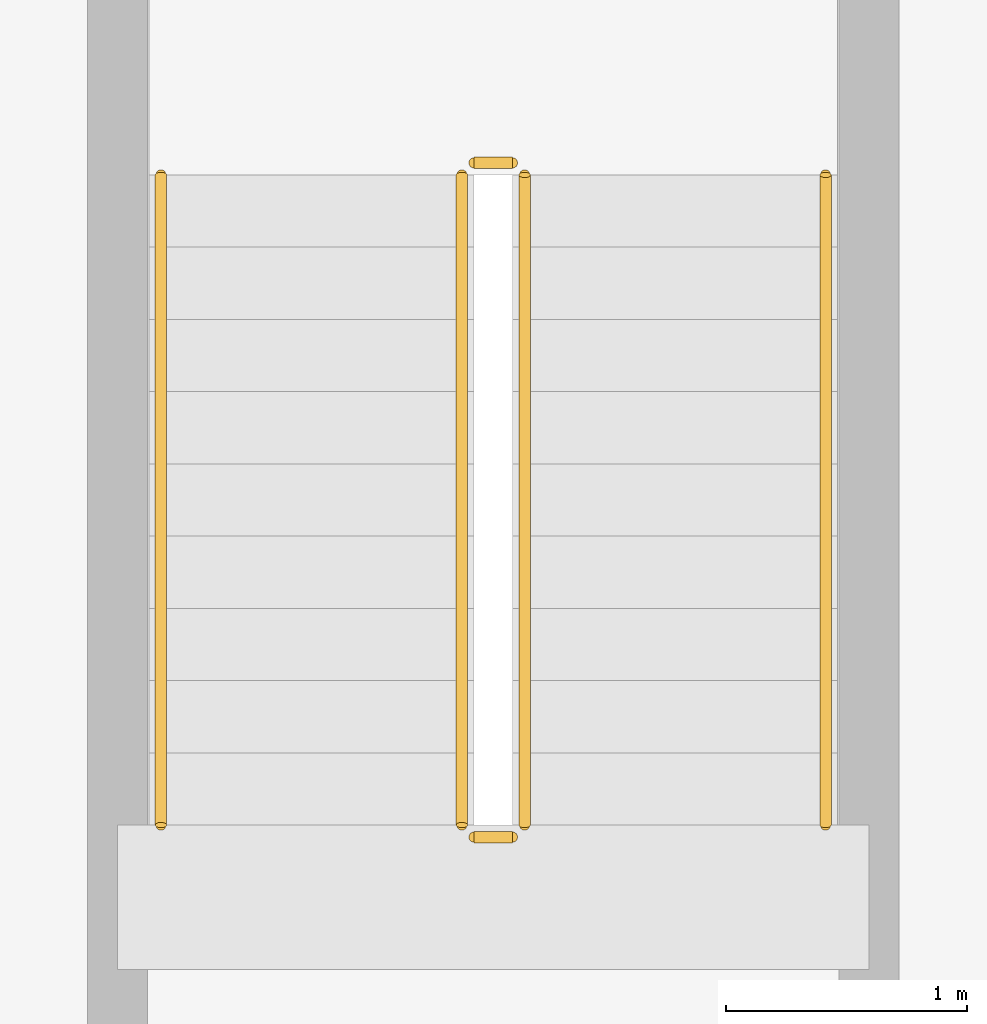
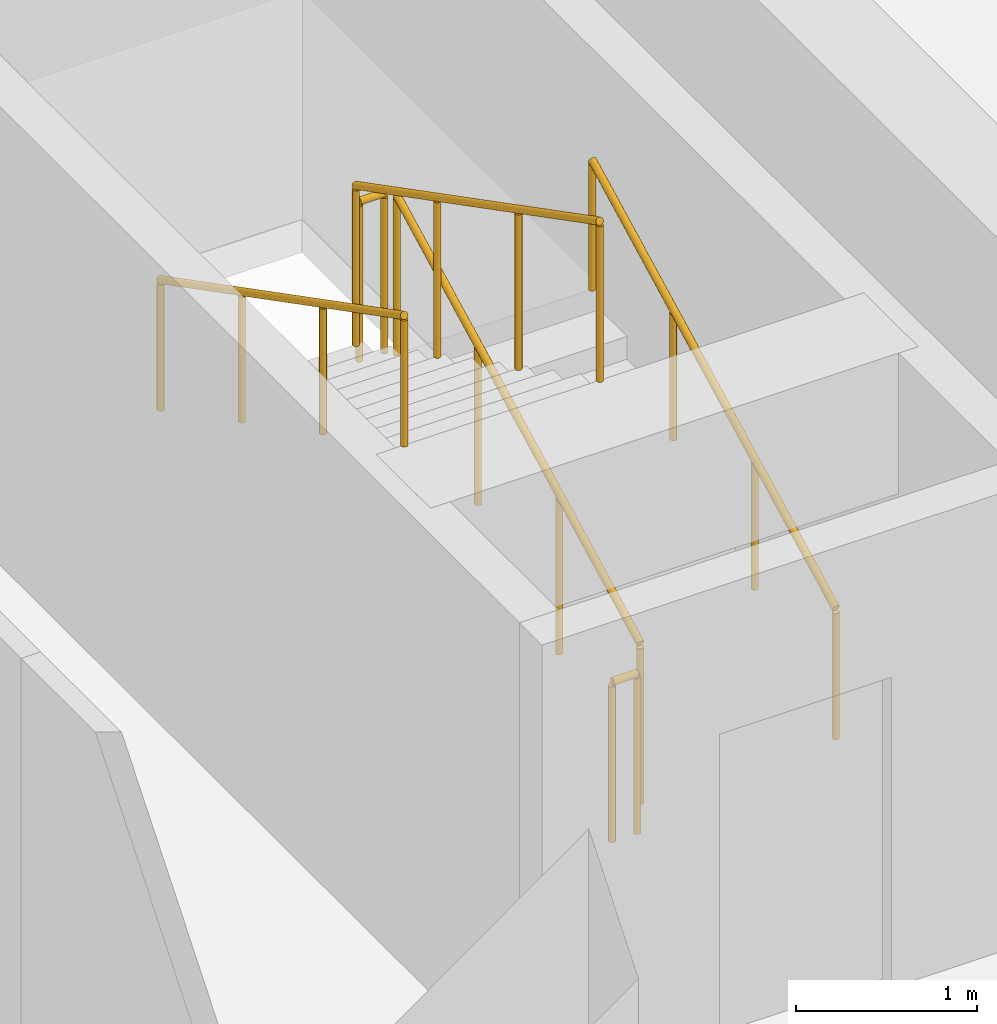
# One storey, part 9 of 9: 6 railings.
"""IFC4 building model written with IfcOpenShell, lengths in metres."""

import ifcopenshell
import ifcopenshell.guid

model = None  # the IFC model being written
_history = None  # IfcOwnerHistory: only IFC2X3 demands one
_inside = {}  # id of a spatial element -> (the spatial element, [elements in it])
_under = {}  # id of a project, library or spatial element -> (it, [spatial elements below it])
_declared = {}  # id of a project -> (the project, [libraries it declares])
_typed = {}  # id of a type object -> (the type object, [elements of that type])
_made_of = {}  # id of a material, layer set ... -> (it, [elements and type objects made of it])


def new_model(schema):
    """Start an empty IFC model of exactly this schema.

    Asked for "IFC4X3", IfcOpenShell would pick the latest addendum, in which some entities
    have other attributes; the version numbers below select the first issue.
    IFC2X3 requires an IfcOwnerHistory on every rooted entity: one is made here for all.
    """
    global model, _history
    if schema == "IFC4X3":
        model = ifcopenshell.file(schema_version=(4, 3, 0, 0))
    else:
        model = ifcopenshell.file(schema=schema)
    _inside.clear()
    _under.clear()
    _declared.clear()
    _typed.clear()
    _made_of.clear()
    _history = None
    if model.schema == "IFC2X3":
        org = make("IfcOrganization", Name="unknown")
        user = make(
            "IfcPersonAndOrganization",
            ThePerson=make("IfcPerson", FamilyName="unknown"),
            TheOrganization=org,
        )
        app = make(
            "IfcApplication",
            ApplicationDeveloper=org,
            Version="unknown",
            ApplicationFullName="unknown",
            ApplicationIdentifier="unknown",
        )
        _history = make(
            "IfcOwnerHistory",
            OwningUser=user,
            OwningApplication=app,
            ChangeAction="ADDED",
            CreationDate=0,
        )
    return model


def make(cls, **values):
    """One entity of the class cls with the attributes given. An attribute that is None is left unset."""
    return model.create_entity(
        cls, **{name: value for name, value in values.items() if value is not None}
    )


def rooted(cls, **values):
    """An entity with a GlobalId (a new one), such as an element, a storey or a relation."""
    return make(cls, GlobalId=ifcopenshell.guid.new(), OwnerHistory=_history, **values)


def si_unit(unit_type, name, prefix=None):
    """IfcSIUnit, for example si_unit("LENGTHUNIT", "METRE", prefix="MILLI")."""
    return make("IfcSIUnit", UnitType=unit_type, Prefix=prefix, Name=name)


def assignment(units):
    """IfcUnitAssignment: the units of a project."""
    return None if units is None else make("IfcUnitAssignment", Units=units)


def point(xyz):
    """IfcCartesianPoint."""
    return None if xyz is None else make("IfcCartesianPoint", Coordinates=xyz)


def direction(xyz):
    """IfcDirection."""
    return None if xyz is None else make("IfcDirection", DirectionRatios=xyz)


def frame(location, z_axis=None, x_axis=None):
    """IfcAxis2Placement3D, a coordinate frame: its origin and axes. An axis left out is left unset."""
    return make(
        "IfcAxis2Placement3D",
        Location=point(location),
        Axis=direction(z_axis),
        RefDirection=direction(x_axis),
    )


def frame_2d(location, x_axis=None):
    """IfcAxis2Placement2D, a coordinate frame in the plane: its origin and x axis."""
    return make(
        "IfcAxis2Placement2D", Location=point(location), RefDirection=direction(x_axis)
    )


def origin():
    """The frame at (0, 0, 0) with its axes left unset."""
    return frame((0.0, 0.0, 0.0))


def origin_2d():
    """The frame at (0, 0) in the plane with its x axis left unset."""
    return frame_2d((0.0, 0.0))


def place(relative_to, where):
    """IfcLocalPlacement: puts the frame where relative to a parent placement (None: the world)."""
    return make(
        "IfcLocalPlacement", PlacementRelTo=relative_to, RelativePlacement=where
    )


def context(
    kind, dimensions, precision=None, world=None, true_north=None, identifier=None
):
    """IfcGeometricRepresentationContext, for example the 3D "Model" context."""
    return make(
        "IfcGeometricRepresentationContext",
        ContextIdentifier=identifier,
        ContextType=kind,
        CoordinateSpaceDimension=dimensions,
        Precision=precision,
        WorldCoordinateSystem=world,
        TrueNorth=true_north,
    )


def subcontext(parent, identifier, kind, view, scale=None):
    """IfcGeometricRepresentationSubContext, for example "Body" below "Model"."""
    return make(
        "IfcGeometricRepresentationSubContext",
        ContextIdentifier=identifier,
        ContextType=kind,
        ParentContext=parent,
        TargetScale=scale,
        TargetView=view,
    )


def project(units=None, contexts=None):
    """IfcProject with its units and contexts."""
    return rooted(
        "IfcProject",
        Name="project",
        RepresentationContexts=contexts,
        UnitsInContext=assignment(units),
    )


def spatial(cls, under=None, at=None, **own):
    """A site, building, storey or space (cls), placed at a placement, below another one or the project."""
    s = rooted(cls, ObjectPlacement=at, **own)
    if under is not None:
        _under.setdefault(under.id(), (under, []))[1].append(s)
    return s


def profile(cls, at=None, kind="AREA", **sizes):
    """A parametric profile (cls). Its sizes go by their IFC names, for example OverallWidth=200.0."""
    return make(cls, ProfileType=kind, Position=at, **sizes)


def circle(**sizes):
    """IfcCircleProfileDef."""
    return profile("IfcCircleProfileDef", **sizes)


def extrude(swept, where, along, depth):
    """IfcExtrudedAreaSolid: the profile swept, set in the frame where, extruded along a direction by depth."""
    return make(
        "IfcExtrudedAreaSolid",
        SweptArea=swept,
        Position=where,
        ExtrudedDirection=direction(along),
        Depth=depth,
    )


def shape(context_of_items, identifier, shape_type, items):
    """IfcShapeRepresentation: the items that make up one representation, for example the "Body"."""
    return make(
        "IfcShapeRepresentation",
        ContextOfItems=context_of_items,
        RepresentationIdentifier=identifier,
        RepresentationType=shape_type,
        Items=items,
    )


def material(Name=None, Category=None):
    """IfcMaterial."""
    return make("IfcMaterial", Name=Name, Category=Category)


def made_of(thing, what):
    """Note that an element or type object is made of a material, layer set ...; save() writes the relation."""
    if what is not None:
        _made_of.setdefault(what.id(), (what, []))[1].append(thing)
    return thing


def type_object(cls, material=None, **own):
    """A type object (cls), such as IfcWallType, which elements share."""
    return made_of(rooted(cls, **own), material)


def element(
    cls,
    number,
    at=None,
    inside=None,
    cuts=None,
    type_object=None,
    material=None,
    context=None,
    identifier="Body",
    shape_type=None,
    held_by="IfcProductDefinitionShape",
    body=None,
    shapes=None,
    **own,
):
    """One element of the class cls, such as IfcWall. Its Tag is "e" and its number.

    at: its placement. inside: the storey or other place that contains it. cuts: it is an
    opening in that element (IfcRelVoidsElement). A single representation is given by context,
    identifier, shape_type and body (its items); several are given by shapes. held_by: the class
    of the entity that holds the representations. save() writes the other relations.
    """
    e = rooted(cls, Tag="e%d" % number, ObjectPlacement=at, **own)
    if body is not None:
        shapes = [shape(context, identifier, shape_type, body)]
    if shapes is not None:
        e.Representation = make(held_by, Representations=shapes)
    if inside is not None:
        _inside.setdefault(inside.id(), (inside, []))[1].append(e)
    if cuts is not None:
        rooted(
            "IfcRelVoidsElement", RelatingBuildingElement=cuts, RelatedOpeningElement=e
        )
    if type_object is not None:
        _typed.setdefault(type_object.id(), (type_object, []))[1].append(e)
    return made_of(e, material)


def aggregate(whole, parts):
    """IfcRelAggregates: a whole, such as a stair, and the parts it consists of."""
    return rooted("IfcRelAggregates", RelatingObject=whole, RelatedObjects=parts)


def save(model, path):
    """Write the relations noted so far, then the file.

    IfcRelAggregates (storeys below a building ...), IfcRelContainedInSpatialStructure (elements
    in a storey), IfcRelDefinesByType, IfcRelAssociatesMaterial and IfcRelDeclares: one each for
    every whole, place, type object, material and project.
    """
    for whole, parts in _under.values():
        aggregate(whole, parts)
    for where, things in _inside.values():
        rooted(
            "IfcRelContainedInSpatialStructure",
            RelatedElements=things,
            RelatingStructure=where,
        )
    for kind, things in _typed.values():
        rooted("IfcRelDefinesByType", RelatedObjects=things, RelatingType=kind)
    for what, things in _made_of.values():
        rooted("IfcRelAssociatesMaterial", RelatedObjects=things, RelatingMaterial=what)
    for by, libraries in _declared.values():
        rooted("IfcRelDeclares", RelatingContext=by, RelatedDefinitions=libraries)
    model.write(path)


model = new_model("IFC4")

# Units and contexts
model_context = context("Model", 3, precision=1e-05, world=origin(), true_north=direction((0.0, 1.0)))
body_context = subcontext(model_context, "Body", "Model", "MODEL_VIEW")
ifc_project = project(units=[si_unit("LENGTHUNIT", "METRE"), si_unit("AREAUNIT", "SQUARE_METRE"), si_unit("VOLUMEUNIT", "CUBIC_METRE"), si_unit("PLANEANGLEUNIT", "RADIAN"), si_unit("MASSUNIT", "GRAM", prefix="KILO")], contexts=[model_context])

# Site, building, storey
site_placement = place(None, origin())
site = spatial("IfcSite", under=ifc_project, at=site_placement, CompositionType="ELEMENT")
building_placement = place(site_placement, origin())
building = spatial("IfcBuilding", under=site, at=building_placement, Name="Solvane Sanctuary Tower", CompositionType="ELEMENT")
storey_placement = place(building_placement, frame((0.0, 0.0, 232.60009765625)))
storey = spatial("IfcBuildingStorey", under=building, at=storey_placement, Name="L71", CompositionType="ELEMENT", Elevation=232.60009765625)

# Railings
ifc_material = material(Name="Architectural Stainless Steel 316", Category="steel")
railing_type_1 = type_object("IfcRailingType", Name="Railing GR-BALC-1150", PredefinedType="BALUSTRADE", material=ifc_material)
railing_1_placement = place(storey_placement, frame((46.340087890625, 19.699951171875, 0.15478515625)))
element("IfcRailing", 1, at=railing_1_placement, inside=storey, type_object=railing_type_1, Name="L71 ST-2 stair guard 1", PredefinedType="BALUSTRADE", context=body_context, shape_type="SweptSolid", body=[
    extrude(circle(Radius=0.02392578125, at=origin_2d()), frame((0.0, 0.0, 1.076171875), z_axis=(0.0, 0.888419900624, 0.459031676658), x_axis=(-1.0, 0.0, 0.0)), (0.0, 0.0, 1.0), 3.0390625),
    extrude(circle(Radius=0.02099609375, at=origin_2d()), origin(), (0.0, 0.0, 1.0), 1.052001953125),
    extrude(circle(Radius=0.02099609375, at=origin_2d()), frame((0.0, 0.89990234375, 0.465087890625)), (0.0, 0.0, 1.0), 1.052001953125),
    extrude(circle(Radius=0.02099609375, at=origin_2d()), frame((0.0, 1.800048828125, 0.929931640625)), (0.0, 0.0, 1.0), 1.052001953125),
    extrude(circle(Radius=0.02099609375, at=origin_2d()), frame((0.0, 2.699951171875, 1.39501953125)), (0.0, 0.0, 1.0), 1.052001953125),
])
railing_2_placement = place(storey_placement, frame((46.2900390625, 22.449951171875, 1.5498046875)))
element("IfcRailing", 2, at=railing_2_placement, inside=storey, type_object=railing_type_1, Name="L71 ST-2 stair guard 2", PredefinedType="BALUSTRADE", context=body_context, shape_type="SweptSolid", body=[
    extrude(circle(Radius=0.02392578125, at=origin_2d()), frame((0.0, 0.0, 1.076171875), z_axis=(-1.0, 0.0, 0.0), x_axis=(0.0, -1.0, 0.0)), (0.0, 0.0, 1.0), 0.16015625),
    extrude(circle(Radius=0.02099609375, at=origin_2d()), origin(), (0.0, 0.0, 1.0), 1.052001953125),
    extrude(circle(Radius=0.02099609375, at=origin_2d()), frame((-0.16015625, 0.0, 0.0)), (0.0, 0.0, 1.0), 1.052001953125),
])
railing_3_placement = place(storey_placement, frame((46.080078125, 22.39990234375, 1.704833984375)))
element("IfcRailing", 3, at=railing_3_placement, inside=storey, type_object=railing_type_1, Name="L71 ST-2 stair guard 3", PredefinedType="BALUSTRADE", context=body_context, shape_type="SweptSolid", body=[
    extrude(circle(Radius=0.02392578125, at=origin_2d()), frame((0.0, 0.0, 1.076171875), z_axis=(0.0, -0.888419900624, 0.459031676658), x_axis=(1.0, 0.0, 0.0)), (0.0, 0.0, 1.0), 3.0390625),
    extrude(circle(Radius=0.02099609375, at=origin_2d()), origin(), (0.0, 0.0, 1.0), 1.052001953125),
    extrude(circle(Radius=0.02099609375, at=origin_2d()), frame((0.0, -0.89990234375, 0.465087890625)), (0.0, 0.0, 1.0), 1.052001953125),
    extrude(circle(Radius=0.02099609375, at=origin_2d()), frame((0.0, -1.800048828125, 0.929931640625)), (0.0, 0.0, 1.0), 1.052001953125),
    extrude(circle(Radius=0.02099609375, at=origin_2d()), frame((0.0, -2.699951171875, 1.39501953125)), (0.0, 0.0, 1.0), 1.052001953125),
])
railing_4_placement = place(storey_placement, frame((46.2900390625, 19.64990234375, 0.0)))
element("IfcRailing", 4, at=railing_4_placement, inside=storey, type_object=railing_type_1, Name="L71 ST-2 stair guard 4", PredefinedType="BALUSTRADE", context=body_context, shape_type="SweptSolid", body=[
    extrude(circle(Radius=0.02392578125, at=origin_2d()), frame((0.0, 0.0, 1.076171875), z_axis=(-1.0, 0.0, 0.0), x_axis=(0.0, -1.0, 0.0)), (0.0, 0.0, 1.0), 0.16015625),
    extrude(circle(Radius=0.02099609375, at=origin_2d()), origin(), (0.0, 0.0, 1.0), 1.052001953125),
    extrude(circle(Radius=0.02099609375, at=origin_2d()), frame((-0.16015625, 0.0, 0.0)), (0.0, 0.0, 1.0), 1.052001953125),
])
railing_type_2 = type_object("IfcRailingType", Name="Railing HR-STAIR-920", PredefinedType="HANDRAIL", material=ifc_material)
railing_5_placement = place(storey_placement, frame((47.590087890625, 19.699951171875, 0.15478515625)))
element("IfcRailing", 5, at=railing_5_placement, inside=storey, type_object=railing_type_2, Name="L71 ST-2 stair handrail 1", PredefinedType="HANDRAIL", context=body_context, shape_type="SweptSolid", body=[
    extrude(circle(Radius=0.02392578125, at=origin_2d()), frame((0.0, 0.0, 0.8759765625), z_axis=(0.0, 0.888419900624, 0.459031676658), x_axis=(-1.0, 0.0, 0.0)), (0.0, 0.0, 1.0), 3.0390625),
    extrude(circle(Radius=0.02099609375, at=origin_2d()), origin(), (0.0, 0.0, 1.0), 0.851806640625),
    extrude(circle(Radius=0.02099609375, at=origin_2d()), frame((0.0, 0.89990234375, 0.465087890625)), (0.0, 0.0, 1.0), 0.851806640625),
    extrude(circle(Radius=0.02099609375, at=origin_2d()), frame((0.0, 1.800048828125, 0.929931640625)), (0.0, 0.0, 1.0), 0.851806640625),
    extrude(circle(Radius=0.02099609375, at=origin_2d()), frame((0.0, 2.699951171875, 1.39501953125)), (0.0, 0.0, 1.0), 0.851806640625),
])
railing_6_placement = place(storey_placement, frame((44.830078125, 22.39990234375, 1.704833984375)))
element("IfcRailing", 6, at=railing_6_placement, inside=storey, type_object=railing_type_2, Name="L71 ST-2 stair handrail 2", PredefinedType="HANDRAIL", context=body_context, shape_type="SweptSolid", body=[
    extrude(circle(Radius=0.02392578125, at=origin_2d()), frame((0.0, 0.0, 0.8759765625), z_axis=(0.0, -0.888419900624, 0.459031676658), x_axis=(1.0, 0.0, 0.0)), (0.0, 0.0, 1.0), 3.0390625),
    extrude(circle(Radius=0.02099609375, at=origin_2d()), origin(), (0.0, 0.0, 1.0), 0.851806640625),
    extrude(circle(Radius=0.02099609375, at=origin_2d()), frame((0.0, -0.89990234375, 0.465087890625)), (0.0, 0.0, 1.0), 0.851806640625),
    extrude(circle(Radius=0.02099609375, at=origin_2d()), frame((0.0, -1.800048828125, 0.929931640625)), (0.0, 0.0, 1.0), 0.851806640625),
    extrude(circle(Radius=0.02099609375, at=origin_2d()), frame((0.0, -2.699951171875, 1.39501953125)), (0.0, 0.0, 1.0), 0.851806640625),
])

save(model, "model.ifc")
